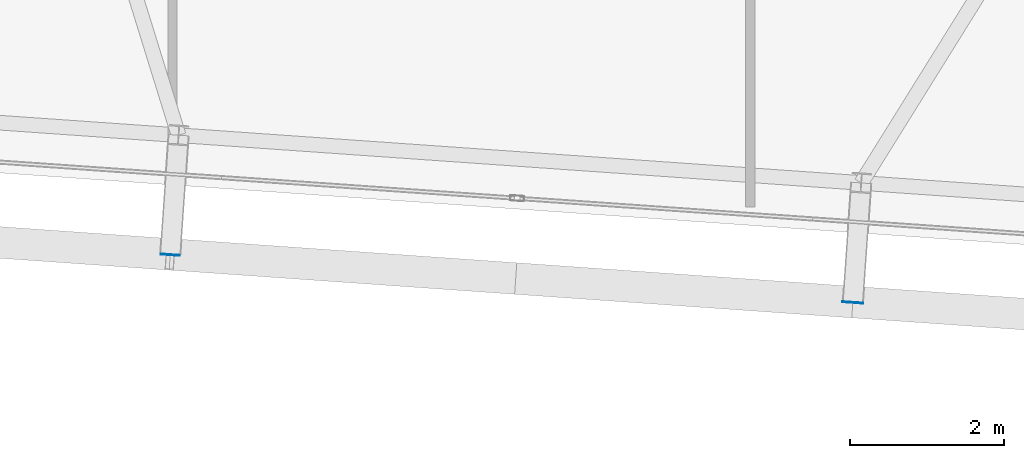
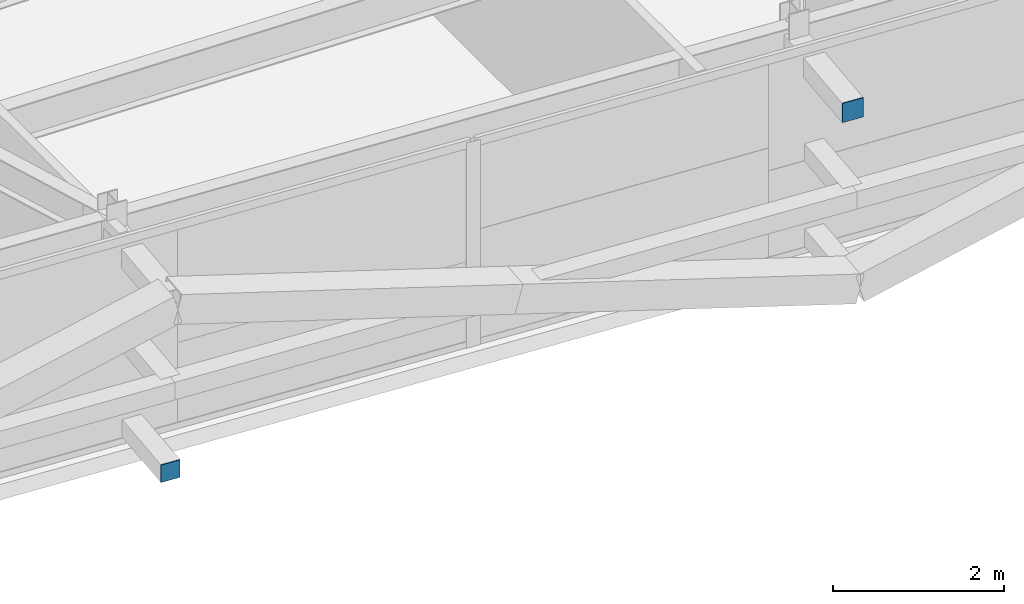
# One storey, part 28 of 39: 2 plates.
"""IFC4 building model written with IfcOpenShell, lengths in metres."""

from ifc_helpers import new_model, si_unit, direction, frame, origin, origin_2d, place, context, subcontext, project, spatial, rectangle, extrude, source, transform, mapped, material, layer, layer_set, type_object, element, save


model = new_model("IFC4")

# Units and contexts
model_context = context("Model", 3, precision=1e-05, world=origin(), true_north=direction((0.0, 1.0)))
body_context = subcontext(model_context, "Body", "Model", "MODEL_VIEW")
ifc_project = project(units=[si_unit("LENGTHUNIT", "METRE"), si_unit("AREAUNIT", "SQUARE_METRE"), si_unit("VOLUMEUNIT", "CUBIC_METRE"), si_unit("PLANEANGLEUNIT", "RADIAN"), si_unit("MASSUNIT", "GRAM", prefix="KILO")], contexts=[model_context])

# Site, building, storey
site_placement = place(None, origin())
site = spatial("IfcSite", under=ifc_project, at=site_placement, CompositionType="ELEMENT")
building_placement = place(site_placement, origin())
building = spatial("IfcBuilding", under=site, at=building_placement, Name="Taldren Reach Tower", CompositionType="ELEMENT")
storey_placement = place(building_placement, frame((0.0, 0.0, 136.14990234375)))
storey = spatial("IfcBuildingStorey", under=building, at=storey_placement, Name="L41", CompositionType="ELEMENT", Elevation=136.14990234375)

# Plates
ifc_material_1 = material(Name="Steel Gr 450 (C450L0)", Category="steel")
ifc_layer_1 = layer(ifc_material_1, 0.011962890625)
ifc_layer_set_1 = layer_set([ifc_layer_1], Name="Steel Gr 450 (C450L0)")
plate_type_1 = type_object("IfcPlateType", Name="PL-CAP-275", PredefinedType="SHEET", material=ifc_layer_set_1)
shared_shape_1 = source(origin(), body_context, "Body", "SweptSolid", [
    extrude(rectangle(XDim=0.27490234375, YDim=0.011962890625, at=origin_2d()), origin(), (0.0, 0.0, 1.0), 0.27490234375),
])
plate_1_placement = place(storey_placement, frame((38.330078125, 1.927978515625, 2.5126953125), z_axis=(0.0, 0.0, 1.0), x_axis=(0.99756405026, -0.069756473744, 0.0)))
element("IfcPlate", 1, at=plate_1_placement, inside=storey, type_object=plate_type_1, Name="Tie strut end cap plate B3-S4 L41", PredefinedType="SHEET", context=body_context, shape_type="MappedRepresentation", body=[
    mapped(shared_shape_1, transform((0.0, 0.0, 0.0), scale=1.0)),
])
ifc_material_2 = material(Name="Steel Gr 350 (C350L0)", Category="steel")
ifc_layer_2 = layer(ifc_material_2, 0.011962890625)
ifc_layer_set_2 = layer_set([ifc_layer_2], Name="Steel Gr 350 (C350L0)")
plate_type_2 = type_object("IfcPlateType", Name="PL-CAP-250", PredefinedType="SHEET", material=ifc_layer_set_2)
shared_shape_2 = source(origin(), body_context, "Body", "SweptSolid", [
    extrude(rectangle(XDim=0.25, YDim=0.011962890625, at=origin_2d()), origin(), (0.0, 0.0, 1.0), 0.25),
])
plate_2_placement = place(storey_placement, frame((29.4716796875, 2.54736328125, 0.09521484375), z_axis=(0.0, 0.0, 1.0), x_axis=(0.99756405026, -0.069756473744, 0.0)))
element("IfcPlate", 2, at=plate_2_placement, inside=storey, type_object=plate_type_2, Name="Tie strut end cap plate B3-S3 L41", PredefinedType="SHEET", context=body_context, shape_type="MappedRepresentation", body=[
    mapped(shared_shape_2, transform((0.0, 0.0, 0.0), scale=1.0)),
])

save(model, "model.ifc")
